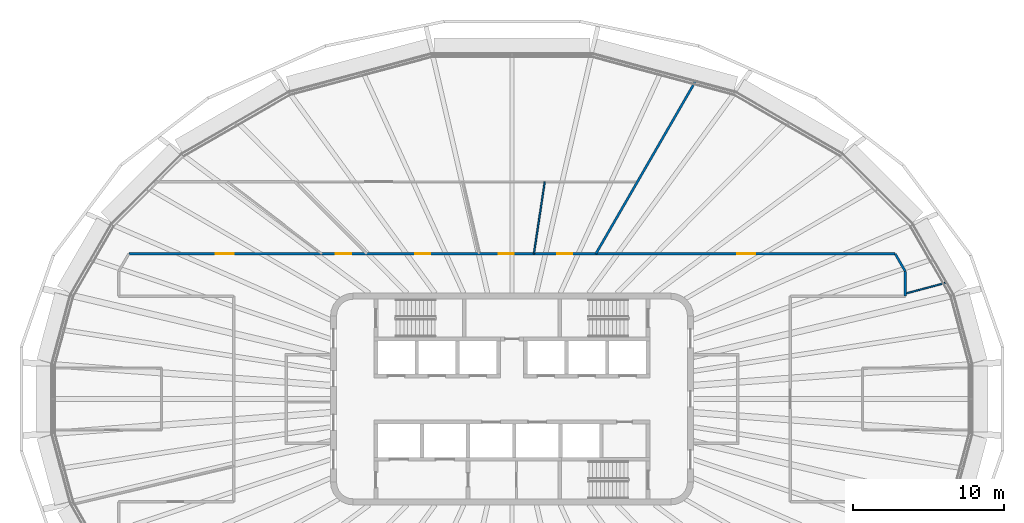
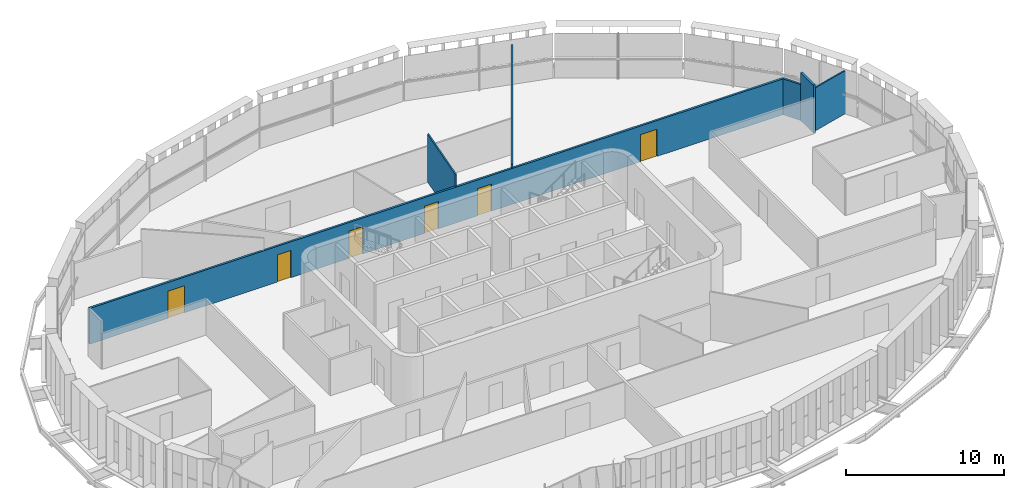
# One storey, part 12 of 19: 6 doors, 6 walls, 6 openings.
"""IFC4 building model written with IfcOpenShell, lengths in metres."""

from ifc_helpers import new_model, si_unit, direction, frame, frame_2d, origin, place, context, subcontext, project, spatial, rectangle, extrude, material, layer, layer_set, type_object, element, fill, save


model = new_model("IFC4")

# Units and contexts
model_context = context("Model", 3, precision=1e-05, world=origin(), true_north=direction((0.0, 1.0)))
body_context = subcontext(model_context, "Body", "Model", "MODEL_VIEW")
ifc_project = project(units=[si_unit("LENGTHUNIT", "METRE"), si_unit("AREAUNIT", "SQUARE_METRE"), si_unit("VOLUMEUNIT", "CUBIC_METRE"), si_unit("PLANEANGLEUNIT", "RADIAN"), si_unit("MASSUNIT", "GRAM", prefix="KILO")], contexts=[model_context])

# Site, building, storey
site_placement = place(None, origin())
site = spatial("IfcSite", under=ifc_project, at=site_placement, CompositionType="ELEMENT")
building_placement = place(site_placement, origin())
building = spatial("IfcBuilding", under=site, at=building_placement, Name="Sahrelin Media Tower", CompositionType="ELEMENT")
storey_placement = place(building_placement, frame((0.0, 0.0, 241.60009765625)))
storey = spatial("IfcBuildingStorey", under=building, at=storey_placement, Name="L52", CompositionType="ELEMENT", Elevation=241.60009765625)

# Wall
ifc_material_1 = material(Name="Fire-rated gypsum board partition")
ifc_layer_1 = layer(ifc_material_1, 0.14990234375)
ifc_layer_set_1 = layer_set([ifc_layer_1], Name="Fire-rated partition 150")
wall_type_1 = type_object("IfcWallType", Name="Fire-rated partition 150", PredefinedType="PARTITIONING", material=ifc_layer_set_1)
wall_1_placement = place(storey_placement, frame((25.3330078125, 9.60009765625, 0.0), z_axis=(0.0, 0.0, 1.0), x_axis=(0.500076310463, -0.865981341435, 0.0)))
element("IfcWall", 1, at=wall_1_placement, inside=storey, type_object=wall_type_1, Name="Wall", PredefinedType="PARTITIONING", context=body_context, shape_type="SweptSolid", body=[
    extrude(rectangle(XDim=1.333740234375, YDim=0.14990234375, at=frame_2d((0.6669921875, 0.0))), origin(), (0.0, 0.0, 1.0), 2.76806640625),
])

# Wall, openings, doors
wall_2_placement = place(storey_placement, frame((-25.3330078125, 9.60009765625, 0.0), z_axis=(0.0, 0.0, 1.0), x_axis=(1.0, 0.0, 0.0)))
wall_2 = element("IfcWall", 2, at=wall_2_placement, inside=storey, type_object=wall_type_1, Name="Wall", PredefinedType="PARTITIONING", context=body_context, shape_type="SweptSolid", body=[
    extrude(rectangle(XDim=50.666015625, YDim=0.14990234375, at=frame_2d((25.3330078125, 0.0))), origin(), (0.0, 0.0, 1.0), 2.76806640625),
])
opening_1_placement = place(wall_2_placement, frame((40.22119140625, 0.0, 0.0)))
opening_1 = element("IfcOpeningElement", 3, at=opening_1_placement, cuts=wall_2, Name="Opening L52-D17", PredefinedType="OPENING", context=body_context, shape_type="SweptSolid", body=[
    extrude(rectangle(XDim=1.199951171875, YDim=2.10009765625, at=frame_2d((0.60009765625, 1.050048828125))), frame((0.0, 0.074951171875, 0.0), z_axis=(0.0, -1.0, 0.0), x_axis=(1.0, 0.0, 0.0)), (0.0, 0.0, 1.0), 0.14990234375),
])
opening_2_placement = place(wall_2_placement, frame((28.327880859375, 0.0, 0.0)))
opening_2 = element("IfcOpeningElement", 4, at=opening_2_placement, cuts=wall_2, Name="Opening L52-D19", PredefinedType="OPENING", context=body_context, shape_type="SweptSolid", body=[
    extrude(rectangle(XDim=1.0, YDim=2.10009765625, at=frame_2d((0.5, 1.050048828125))), frame((0.0, 0.074951171875, 0.0), z_axis=(0.0, -1.0, 0.0), x_axis=(1.0, 0.0, 0.0)), (0.0, 0.0, 1.0), 0.14990234375),
])
opening_3_placement = place(wall_2_placement, frame((24.4609375, 0.0, 0.0)))
opening_3 = element("IfcOpeningElement", 5, at=opening_3_placement, cuts=wall_2, Name="Opening L52-D20", PredefinedType="OPENING", context=body_context, shape_type="SweptSolid", body=[
    extrude(rectangle(XDim=1.0, YDim=2.10009765625, at=frame_2d((0.5, 1.050048828125))), frame((0.0, 0.074951171875, 0.0), z_axis=(0.0, -1.0, 0.0), x_axis=(1.0, 0.0, 0.0)), (0.0, 0.0, 1.0), 0.14990234375),
])
opening_4_placement = place(wall_2_placement, frame((18.9375, 0.0, 0.0)))
opening_4 = element("IfcOpeningElement", 6, at=opening_4_placement, cuts=wall_2, Name="Opening L52-D21", PredefinedType="OPENING", context=body_context, shape_type="SweptSolid", body=[
    extrude(rectangle(XDim=1.0, YDim=2.10009765625, at=frame_2d((0.5, 1.050048828125))), frame((0.0, 0.074951171875, 0.0), z_axis=(0.0, -1.0, 0.0), x_axis=(1.0, 0.0, 0.0)), (0.0, 0.0, 1.0), 0.14990234375),
])
opening_5_placement = place(wall_2_placement, frame((13.6953125, 0.0, 0.0)))
opening_5 = element("IfcOpeningElement", 7, at=opening_5_placement, cuts=wall_2, Name="Opening L52-D23", PredefinedType="OPENING", context=body_context, shape_type="SweptSolid", body=[
    extrude(rectangle(XDim=1.0, YDim=2.10009765625, at=frame_2d((0.5, 1.050048828125))), frame((0.0, 0.074951171875, 0.0), z_axis=(0.0, -1.0, 0.0), x_axis=(1.0, 0.0, 0.0)), (0.0, 0.0, 1.0), 0.14990234375),
])
opening_6_placement = place(wall_2_placement, frame((5.733154296875, 0.0, 0.0)))
opening_6 = element("IfcOpeningElement", 8, at=opening_6_placement, cuts=wall_2, Name="Opening L52-D24", PredefinedType="OPENING", context=body_context, shape_type="SweptSolid", body=[
    extrude(rectangle(XDim=1.199951171875, YDim=2.10009765625, at=frame_2d((0.60009765625, 1.050048828125))), frame((0.0, 0.074951171875, 0.0), z_axis=(0.0, -1.0, 0.0), x_axis=(1.0, 0.0, 0.0)), (0.0, 0.0, 1.0), 0.14990234375),
])
ifc_material_2 = material(Name="Steel fire door leaf", Category="steel")
door_type_1 = type_object("IfcDoorType", Name="Fire door 1000 x 2100 EI 60", OperationType="NOTDEFINED", PredefinedType="DOOR", material=ifc_material_2)
door_1_placement = place(opening_2_placement, origin())
door_1 = element("IfcDoor", 9, at=door_1_placement, inside=storey, type_object=door_type_1, Name="Fire door", OperationType="SINGLE_SWING_RIGHT", OverallHeight=2.10009765625, OverallWidth=1.0, PredefinedType="DOOR", context=body_context, shape_type="SweptSolid", body=[
    extrude(rectangle(XDim=1.0, YDim=2.10009765625, at=frame_2d((0.5, 1.050048828125))), frame((0.0, 0.02490234375, 0.0), z_axis=(0.0, -1.0, 0.0), x_axis=(1.0, 0.0, 0.0)), (0.0, 0.0, 1.0), 0.050048828125),
])
fill(opening_2, door_1)
door_2_placement = place(opening_3_placement, origin())
door_2 = element("IfcDoor", 10, at=door_2_placement, inside=storey, type_object=door_type_1, Name="Fire door", OperationType="SINGLE_SWING_LEFT", OverallHeight=2.10009765625, OverallWidth=1.0, PredefinedType="DOOR", context=body_context, shape_type="SweptSolid", body=[
    extrude(rectangle(XDim=1.0, YDim=2.10009765625, at=frame_2d((0.5, 1.050048828125))), frame((0.0, 0.02490234375, 0.0), z_axis=(0.0, -1.0, 0.0), x_axis=(1.0, 0.0, 0.0)), (0.0, 0.0, 1.0), 0.050048828125),
])
fill(opening_3, door_2)
door_3_placement = place(opening_4_placement, origin())
door_3 = element("IfcDoor", 11, at=door_3_placement, inside=storey, type_object=door_type_1, Name="Fire door", OperationType="SINGLE_SWING_RIGHT", OverallHeight=2.10009765625, OverallWidth=1.0, PredefinedType="DOOR", context=body_context, shape_type="SweptSolid", body=[
    extrude(rectangle(XDim=1.0, YDim=2.10009765625, at=frame_2d((0.5, 1.050048828125))), frame((0.0, 0.02490234375, 0.0), z_axis=(0.0, -1.0, 0.0), x_axis=(1.0, 0.0, 0.0)), (0.0, 0.0, 1.0), 0.050048828125),
])
fill(opening_4, door_3)
door_4_placement = place(opening_5_placement, origin())
door_4 = element("IfcDoor", 12, at=door_4_placement, inside=storey, type_object=door_type_1, Name="Fire door", OperationType="SINGLE_SWING_RIGHT", OverallHeight=2.10009765625, OverallWidth=1.0, PredefinedType="DOOR", context=body_context, shape_type="SweptSolid", body=[
    extrude(rectangle(XDim=1.0, YDim=2.10009765625, at=frame_2d((0.5, 1.050048828125))), frame((0.0, 0.02490234375, 0.0), z_axis=(0.0, -1.0, 0.0), x_axis=(1.0, 0.0, 0.0)), (0.0, 0.0, 1.0), 0.050048828125),
])
fill(opening_5, door_4)
door_type_2 = type_object("IfcDoorType", Name="Service double door 1200 x 2100 EI 60", OperationType="DOUBLE_DOOR_SINGLE_SWING", PredefinedType="DOOR", material=ifc_material_2)
door_5_placement = place(opening_1_placement, origin())
door_5 = element("IfcDoor", 13, at=door_5_placement, inside=storey, type_object=door_type_2, Name="Service double door", OperationType="DOUBLE_DOOR_SINGLE_SWING", OverallHeight=2.10009765625, OverallWidth=1.199951171875, PredefinedType="DOOR", context=body_context, shape_type="SweptSolid", body=[
    extrude(rectangle(XDim=1.199951171875, YDim=2.10009765625, at=frame_2d((0.60009765625, 1.050048828125))), frame((0.0, 0.02490234375, 0.0), z_axis=(0.0, -1.0, 0.0), x_axis=(1.0, 0.0, 0.0)), (0.0, 0.0, 1.0), 0.050048828125),
])
fill(opening_1, door_5)
door_6_placement = place(opening_6_placement, origin())
door_6 = element("IfcDoor", 14, at=door_6_placement, inside=storey, type_object=door_type_2, Name="Service double door", OperationType="DOUBLE_DOOR_SINGLE_SWING", OverallHeight=2.10009765625, OverallWidth=1.199951171875, PredefinedType="DOOR", context=body_context, shape_type="SweptSolid", body=[
    extrude(rectangle(XDim=1.199951171875, YDim=2.10009765625, at=frame_2d((0.60009765625, 1.050048828125))), frame((0.0, 0.02490234375, 0.0), z_axis=(0.0, -1.0, 0.0), x_axis=(1.0, 0.0, 0.0)), (0.0, 0.0, 1.0), 0.050048828125),
])
fill(opening_6, door_6)

# Walls
wall_3_placement = place(storey_placement, frame((5.54296875, 9.60009765625, 0.0), z_axis=(0.0, 0.0, 1.0), x_axis=(0.500044242988, 0.865999858577, 0.0)))
element("IfcWall", 15, at=wall_3_placement, inside=storey, type_object=wall_type_1, Name="Wall", PredefinedType="PARTITIONING", context=body_context, shape_type="SweptSolid", body=[
    extrude(rectangle(XDim=13.178466796875, YDim=0.14990234375, at=frame_2d((6.58935546875, 0.0))), origin(), (0.0, 0.0, 1.0), 3.077392578125),
])
wall_4_placement = place(storey_placement, frame((26.0, 6.800048828125, 0.0), z_axis=(0.0, 0.0, 1.0), x_axis=(0.0, 1.0, 0.0)))
element("IfcWall", 16, at=wall_4_placement, inside=storey, type_object=wall_type_1, Name="Wall", PredefinedType="PARTITIONING", context=body_context, shape_type="SweptSolid", body=[
    extrude(rectangle(XDim=1.64501953125, YDim=0.14990234375, at=frame_2d((0.822509765625, 0.0))), origin(), (0.0, 0.0, 1.0), 3.699951171875),
])
ifc_material_3 = material(Name="Gypsum board partition")
ifc_layer_2 = layer(ifc_material_3, 0.10009765625)
ifc_layer_set_2 = layer_set([ifc_layer_2], Name="Partition 100")
wall_type_2 = type_object("IfcWallType", Name="Partition 100", PredefinedType="PARTITIONING", material=ifc_layer_set_2)
wall_5_placement = place(storey_placement, frame((26.0, 6.966064453125, 0.0), z_axis=(0.0, 0.0, 1.0), x_axis=(0.965951508514, 0.258723178704, 0.0)))
element("IfcWall", 17, at=wall_5_placement, inside=storey, type_object=wall_type_2, Name="Wall", PredefinedType="PARTITIONING", context=body_context, shape_type="SweptSolid", body=[
    extrude(rectangle(XDim=2.836669921875, YDim=0.10009765625, at=frame_2d((1.41845703125, 0.0))), origin(), (0.0, 0.0, 1.0), 3.324951171875),
])
wall_6_placement = place(storey_placement, frame((1.447021484375, 9.60009765625, 0.0), z_axis=(0.0, 0.0, 1.0), x_axis=(0.149156325557, 0.988813627812, 0.0)))
element("IfcWall", 18, at=wall_6_placement, inside=storey, type_object=wall_type_2, Name="Wall", PredefinedType="PARTITIONING", context=body_context, shape_type="SweptSolid", body=[
    extrude(rectangle(XDim=4.81396484375, YDim=0.10009765625, at=frame_2d((2.406982421875, 0.0))), origin(), (0.0, 0.0, 1.0), 3.699951171875),
])

save(model, "model.ifc")
